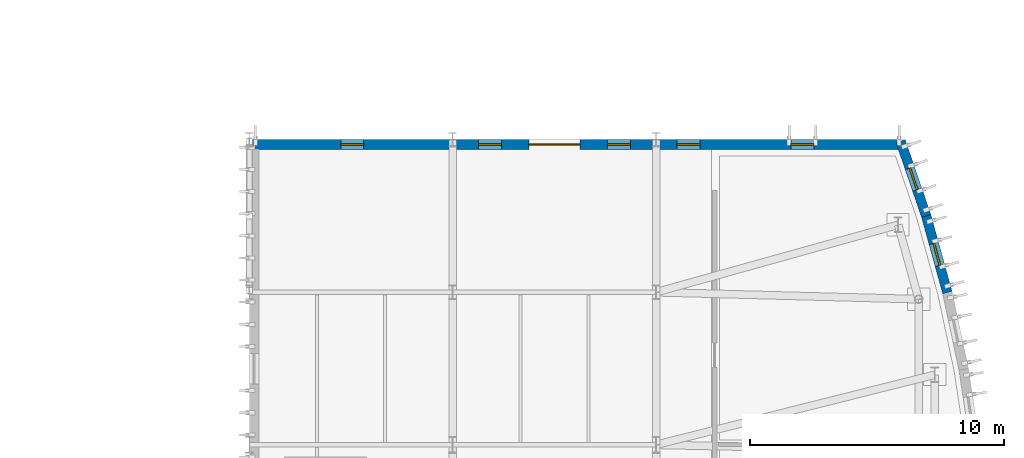
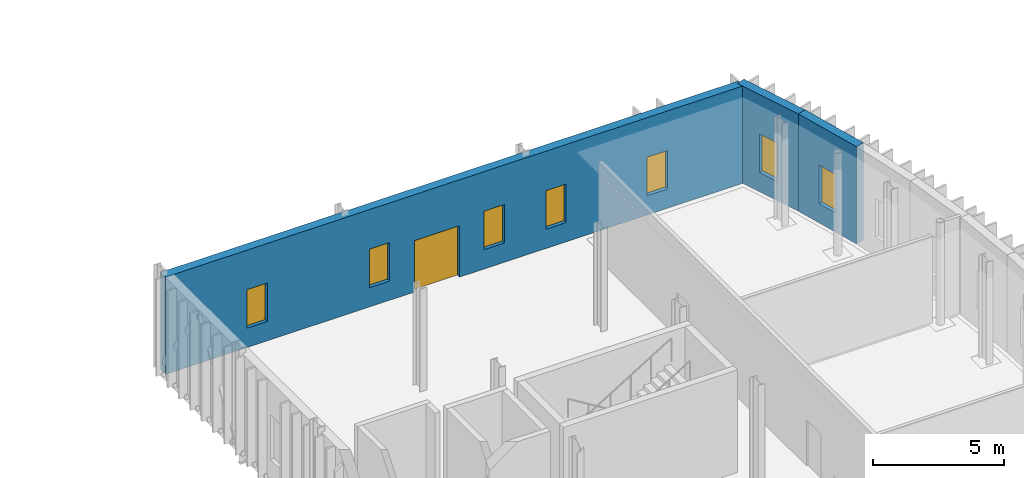
# One storey, part 34 of 60: 7 windows, 3 walls, 1 door, 8 openings.
"""IFC4 building model written with IfcOpenShell, lengths in metres."""

from ifc_helpers import new_model, si_unit, direction, frame, frame_2d, origin, place, context, subcontext, project, spatial, rectangle, extrude, material, layer, layer_set, type_object, element, fill, save


model = new_model("IFC4")

# Units and contexts
model_context = context("Model", 3, precision=1e-05, world=origin(), true_north=direction((0.0, 1.0)))
body_context = subcontext(model_context, "Body", "Model", "MODEL_VIEW")
ifc_project = project(units=[si_unit("LENGTHUNIT", "METRE"), si_unit("AREAUNIT", "SQUARE_METRE"), si_unit("VOLUMEUNIT", "CUBIC_METRE"), si_unit("PLANEANGLEUNIT", "RADIAN"), si_unit("MASSUNIT", "GRAM", prefix="KILO")], contexts=[model_context])

# Site, building, storey
site_placement = place(None, origin())
site = spatial("IfcSite", under=ifc_project, at=site_placement, CompositionType="ELEMENT")
building_placement = place(site_placement, origin())
building = spatial("IfcBuilding", under=site, at=building_placement, Name="Cymarion Research Institute", CompositionType="ELEMENT")
storey_placement = place(building_placement, origin())
storey = spatial("IfcBuildingStorey", under=building, at=storey_placement, Name="L00", CompositionType="ELEMENT", Elevation=0.0)

# Wall, opening, window
ifc_material_1 = material(Name="Precast concrete C40/50", Category="concrete")
ifc_layer = layer(ifc_material_1, 0.3798828125)
ifc_layer_set = layer_set([ifc_layer], Name="Precast concrete C40/50")
wall_type = type_object("IfcWallType", Name="EXTERIOR WALL EW-PC380 380MM", PredefinedType="SOLIDWALL", material=ifc_layer_set)
wall_1_placement = place(storey_placement, frame((166.059326171875, 35.485595703125, 0.0), z_axis=(0.0, 0.0, 1.0), x_axis=(-0.26649659626, 0.963835859564, 0.0)))
wall_1 = element("IfcWall", 1, at=wall_1_placement, inside=storey, type_object=wall_type, Name="L00 V1 exterior wall EW-PC380 #49", PredefinedType="SOLIDWALL", context=body_context, shape_type="SweptSolid", body=[
    extrude(rectangle(XDim=3.12841796875, YDim=0.3798828125, at=frame_2d((1.564208984375, 0.0))), origin(), (0.0, 0.0, 1.0), 4.550048828125),
])
opening_1_placement = place(wall_1_placement, frame((1.114013671875, 0.0, 0.89990234375)))
opening_1 = element("IfcOpeningElement", 2, at=opening_1_placement, cuts=wall_1, Name="Opening W24", PredefinedType="OPENING", context=body_context, shape_type="SweptSolid", body=[
    extrude(rectangle(XDim=0.89990234375, YDim=1.800048828125, at=frame_2d((0.449951171875, 0.89990234375))), frame((0.0, 0.199951171875, 0.0), z_axis=(0.0, -1.0, 0.0), x_axis=(1.0, 0.0, 0.0)), (0.0, 0.0, 1.0), 0.39990234375),
])
ifc_material_2 = material(Name="Thermally broken aluminium window with Low-E glazing", Category="aluminium")
window_type = type_object("IfcWindowType", Name="THERMALLY BROKEN ALUMINIUM WINDOW W24 900X1800", PartitioningType="SINGLE_PANEL", PredefinedType="WINDOW", material=ifc_material_2)
window_1_placement = place(opening_1_placement, origin())
window_1 = element("IfcWindow", 3, at=window_1_placement, inside=storey, type_object=window_type, Name="L00 V1 facade window W24 #20", OverallHeight=1.800048828125, OverallWidth=0.89990234375, PartitioningType="SINGLE_PANEL", PredefinedType="WINDOW", context=body_context, shape_type="SweptSolid", body=[
    extrude(rectangle(XDim=0.89990234375, YDim=1.800048828125, at=frame_2d((0.449951171875, 0.89990234375))), frame((0.0, 0.030029296875, 0.0), z_axis=(0.0, -1.0, 0.0), x_axis=(1.0, 0.0, 0.0)), (0.0, 0.0, 1.0), 0.06005859375),
])
fill(opening_1, window_1)

wall_2_placement = place(storey_placement, frame((165.23291015625, 38.478515625, 0.0), z_axis=(0.0, 0.0, 1.0), x_axis=(-0.323709741108, 0.946156437124, 0.0)))
wall_2 = element("IfcWall", 4, at=wall_2_placement, inside=storey, type_object=wall_type, Name="L00 V1 exterior wall EW-PC380 #50", PredefinedType="SOLIDWALL", context=body_context, shape_type="SweptSolid", body=[
    extrude(rectangle(XDim=3.12841796875, YDim=0.3798828125, at=frame_2d((1.564208984375, 0.0))), origin(), (0.0, 0.0, 1.0), 4.550048828125),
])
opening_2_placement = place(wall_2_placement, frame((1.114013671875, 0.0, 0.89990234375)))
opening_2 = element("IfcOpeningElement", 5, at=opening_2_placement, cuts=wall_2, Name="Opening W24", PredefinedType="OPENING", context=body_context, shape_type="SweptSolid", body=[
    extrude(rectangle(XDim=0.89990234375, YDim=1.800048828125, at=frame_2d((0.449951171875, 0.89990234375))), frame((0.0, 0.199951171875, 0.0), z_axis=(0.0, -1.0, 0.0), x_axis=(1.0, 0.0, 0.0)), (0.0, 0.0, 1.0), 0.39990234375),
])
window_2_placement = place(opening_2_placement, origin())
window_2 = element("IfcWindow", 6, at=window_2_placement, inside=storey, type_object=window_type, Name="L00 V1 facade window W24 #21", OverallHeight=1.800048828125, OverallWidth=0.89990234375, PartitioningType="SINGLE_PANEL", PredefinedType="WINDOW", context=body_context, shape_type="SweptSolid", body=[
    extrude(rectangle(XDim=0.89990234375, YDim=1.800048828125, at=frame_2d((0.449951171875, 0.89990234375))), frame((0.0, 0.030029296875, 0.0), z_axis=(0.0, -1.0, 0.0), x_axis=(1.0, 0.0, 0.0)), (0.0, 0.0, 1.0), 0.06005859375),
])
fill(opening_2, window_2)

# Wall, openings, door, windows
wall_3_placement = place(storey_placement, frame((164.146484375, 41.31005859375, 0.0), z_axis=(0.0, 0.0, 1.0), x_axis=(-1.0, 0.0, 0.0)))
wall_3 = element("IfcWall", 7, at=wall_3_placement, inside=storey, type_object=wall_type, Name="L00 V1 exterior wall EW-PC380 #51", PredefinedType="SOLIDWALL", context=body_context, shape_type="SweptSolid", body=[
    extrude(rectangle(XDim=25.54638671875, YDim=0.3798828125, at=frame_2d((12.773193359375, 0.0))), origin(), (0.0, 0.0, 1.0), 4.550048828125),
])
opening_3_placement = place(wall_3_placement, frame((12.5458984375, 0.0, 0.0)))
opening_3 = element("IfcOpeningElement", 8, at=opening_3_placement, cuts=wall_3, Name="Opening D-EX03", PredefinedType="OPENING", context=body_context, shape_type="SweptSolid", body=[
    extrude(rectangle(XDim=2.0, YDim=2.39990234375, at=frame_2d((1.0, 1.199951171875))), frame((0.0, 0.199951171875, 0.0), z_axis=(0.0, -1.0, 0.0), x_axis=(1.0, 0.0, 0.0)), (0.0, 0.0, 1.0), 0.39990234375),
])
opening_4_placement = place(wall_3_placement, frame((3.343017578125, 0.0, 0.89990234375)))
opening_4 = element("IfcOpeningElement", 9, at=opening_4_placement, cuts=wall_3, Name="Opening W24", PredefinedType="OPENING", context=body_context, shape_type="SweptSolid", body=[
    extrude(rectangle(XDim=0.89990234375, YDim=1.800048828125, at=frame_2d((0.449951171875, 0.89990234375))), frame((0.0, 0.199951171875, 0.0), z_axis=(0.0, -1.0, 0.0), x_axis=(1.0, 0.0, 0.0)), (0.0, 0.0, 1.0), 0.39990234375),
])
opening_5_placement = place(wall_3_placement, frame((7.825927734375, 0.0, 0.89990234375)))
opening_5 = element("IfcOpeningElement", 10, at=opening_5_placement, cuts=wall_3, Name="Opening W24", PredefinedType="OPENING", context=body_context, shape_type="SweptSolid", body=[
    extrude(rectangle(XDim=0.89990234375, YDim=1.800048828125, at=frame_2d((0.449951171875, 0.89990234375))), frame((0.0, 0.199951171875, 0.0), z_axis=(0.0, -1.0, 0.0), x_axis=(1.0, 0.0, 0.0)), (0.0, 0.0, 1.0), 0.39990234375),
])
opening_6_placement = place(wall_3_placement, frame((10.56103515625, 0.0, 0.89990234375)))
opening_6 = element("IfcOpeningElement", 11, at=opening_6_placement, cuts=wall_3, Name="Opening W24", PredefinedType="OPENING", context=body_context, shape_type="SweptSolid", body=[
    extrude(rectangle(XDim=0.89990234375, YDim=1.800048828125, at=frame_2d((0.449951171875, 0.89990234375))), frame((0.0, 0.199951171875, 0.0), z_axis=(0.0, -1.0, 0.0), x_axis=(1.0, 0.0, 0.0)), (0.0, 0.0, 1.0), 0.39990234375),
])
opening_7_placement = place(wall_3_placement, frame((15.631103515625, 0.0, 0.89990234375)))
opening_7 = element("IfcOpeningElement", 12, at=opening_7_placement, cuts=wall_3, Name="Opening W24", PredefinedType="OPENING", context=body_context, shape_type="SweptSolid", body=[
    extrude(rectangle(XDim=0.89990234375, YDim=1.800048828125, at=frame_2d((0.449951171875, 0.89990234375))), frame((0.0, 0.199951171875, 0.0), z_axis=(0.0, -1.0, 0.0), x_axis=(1.0, 0.0, 0.0)), (0.0, 0.0, 1.0), 0.39990234375),
])
opening_8_placement = place(wall_3_placement, frame((21.0458984375, 0.0, 0.89990234375)))
opening_8 = element("IfcOpeningElement", 13, at=opening_8_placement, cuts=wall_3, Name="Opening W24", PredefinedType="OPENING", context=body_context, shape_type="SweptSolid", body=[
    extrude(rectangle(XDim=0.89990234375, YDim=1.800048828125, at=frame_2d((0.449951171875, 0.89990234375))), frame((0.0, 0.199951171875, 0.0), z_axis=(0.0, -1.0, 0.0), x_axis=(1.0, 0.0, 0.0)), (0.0, 0.0, 1.0), 0.39990234375),
])
ifc_material_3 = material(Name="Thermally broken anodised aluminium glazed door", Category="aluminium")
door_type = type_object("IfcDoorType", Name="GLAZED ALUMINIUM DOUBLE EXIT DOOR DT-EX200 2000X2400", OperationType="DOUBLE_DOOR_SINGLE_SWING", PredefinedType="DOOR", material=ifc_material_3)
door_placement = place(opening_3_placement, frame((2.0, 0.0, 0.0), z_axis=(0.0, 0.0, 1.0), x_axis=(-1.0, 0.0, 0.0)))
door = element("IfcDoor", 14, at=door_placement, inside=storey, type_object=door_type, Name="L00 V1 Final Exit Door D-EX03", OperationType="DOUBLE_DOOR_SINGLE_SWING", OverallHeight=2.39990234375, OverallWidth=2.0, PredefinedType="DOOR", context=body_context, shape_type="SweptSolid", body=[
    extrude(rectangle(XDim=2.0, YDim=2.39990234375, at=frame_2d((1.0, 1.199951171875))), frame((0.0, 0.02490234375, 0.0), z_axis=(0.0, -1.0, 0.0), x_axis=(1.0, 0.0, 0.0)), (0.0, 0.0, 1.0), 0.050048828125),
])
fill(opening_3, door)
window_3_placement = place(opening_4_placement, origin())
window_3 = element("IfcWindow", 15, at=window_3_placement, inside=storey, type_object=window_type, Name="L00 V1 facade window W24 #22", OverallHeight=1.800048828125, OverallWidth=0.89990234375, PartitioningType="SINGLE_PANEL", PredefinedType="WINDOW", context=body_context, shape_type="SweptSolid", body=[
    extrude(rectangle(XDim=0.89990234375, YDim=1.800048828125, at=frame_2d((0.449951171875, 0.89990234375))), frame((0.0, 0.030029296875, 0.0), z_axis=(0.0, -1.0, 0.0), x_axis=(1.0, 0.0, 0.0)), (0.0, 0.0, 1.0), 0.06005859375),
])
fill(opening_4, window_3)
window_4_placement = place(opening_5_placement, origin())
window_4 = element("IfcWindow", 16, at=window_4_placement, inside=storey, type_object=window_type, Name="L00 V1 facade window W24 #23", OverallHeight=1.800048828125, OverallWidth=0.89990234375, PartitioningType="SINGLE_PANEL", PredefinedType="WINDOW", context=body_context, shape_type="SweptSolid", body=[
    extrude(rectangle(XDim=0.89990234375, YDim=1.800048828125, at=frame_2d((0.449951171875, 0.89990234375))), frame((0.0, 0.030029296875, 0.0), z_axis=(0.0, -1.0, 0.0), x_axis=(1.0, 0.0, 0.0)), (0.0, 0.0, 1.0), 0.06005859375),
])
fill(opening_5, window_4)
window_5_placement = place(opening_6_placement, origin())
window_5 = element("IfcWindow", 17, at=window_5_placement, inside=storey, type_object=window_type, Name="L00 V1 facade window W24 #24", OverallHeight=1.800048828125, OverallWidth=0.89990234375, PartitioningType="SINGLE_PANEL", PredefinedType="WINDOW", context=body_context, shape_type="SweptSolid", body=[
    extrude(rectangle(XDim=0.89990234375, YDim=1.800048828125, at=frame_2d((0.449951171875, 0.89990234375))), frame((0.0, 0.030029296875, 0.0), z_axis=(0.0, -1.0, 0.0), x_axis=(1.0, 0.0, 0.0)), (0.0, 0.0, 1.0), 0.06005859375),
])
fill(opening_6, window_5)
window_6_placement = place(opening_7_placement, origin())
window_6 = element("IfcWindow", 18, at=window_6_placement, inside=storey, type_object=window_type, Name="L00 V1 facade window W24 #25", OverallHeight=1.800048828125, OverallWidth=0.89990234375, PartitioningType="SINGLE_PANEL", PredefinedType="WINDOW", context=body_context, shape_type="SweptSolid", body=[
    extrude(rectangle(XDim=0.89990234375, YDim=1.800048828125, at=frame_2d((0.449951171875, 0.89990234375))), frame((0.0, 0.030029296875, 0.0), z_axis=(0.0, -1.0, 0.0), x_axis=(1.0, 0.0, 0.0)), (0.0, 0.0, 1.0), 0.06005859375),
])
fill(opening_7, window_6)
window_7_placement = place(opening_8_placement, origin())
window_7 = element("IfcWindow", 19, at=window_7_placement, inside=storey, type_object=window_type, Name="L00 V1 facade window W24 #26", OverallHeight=1.800048828125, OverallWidth=0.89990234375, PartitioningType="SINGLE_PANEL", PredefinedType="WINDOW", context=body_context, shape_type="SweptSolid", body=[
    extrude(rectangle(XDim=0.89990234375, YDim=1.800048828125, at=frame_2d((0.449951171875, 0.89990234375))), frame((0.0, 0.030029296875, 0.0), z_axis=(0.0, -1.0, 0.0), x_axis=(1.0, 0.0, 0.0)), (0.0, 0.0, 1.0), 0.06005859375),
])
fill(opening_8, window_7)

save(model, "model.ifc")
